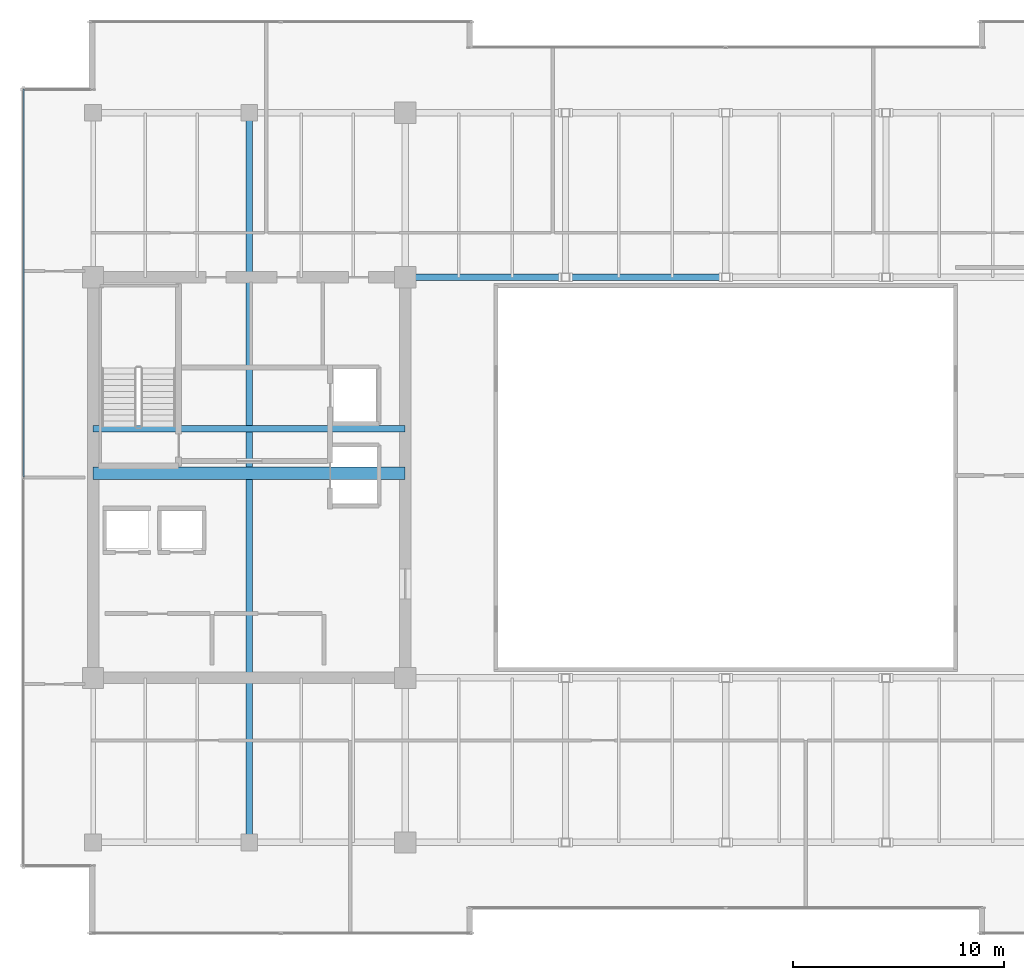
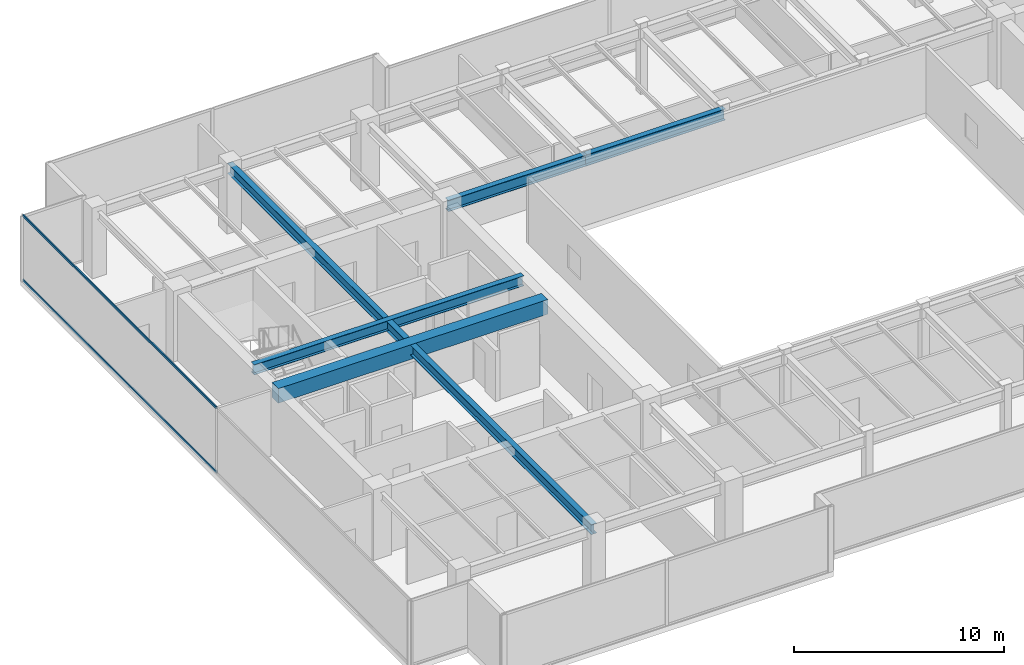
# One storey, part 10 of 33: 5 beams, 2 members, 1 element without a shape of its own.
"""IFC4 building model written with IfcOpenShell, lengths in metres."""

import ifcopenshell
import ifcopenshell.guid

model = None  # the IFC model being written
_history = None  # IfcOwnerHistory: only IFC2X3 demands one
_inside = {}  # id of a spatial element -> (the spatial element, [elements in it])
_under = {}  # id of a project, library or spatial element -> (it, [spatial elements below it])
_declared = {}  # id of a project -> (the project, [libraries it declares])
_typed = {}  # id of a type object -> (the type object, [elements of that type])
_made_of = {}  # id of a material, layer set ... -> (it, [elements and type objects made of it])


def new_model(schema):
    """Start an empty IFC model of exactly this schema.

    Asked for "IFC4X3", IfcOpenShell would pick the latest addendum, in which some entities
    have other attributes; the version numbers below select the first issue.
    IFC2X3 requires an IfcOwnerHistory on every rooted entity: one is made here for all.
    """
    global model, _history
    if schema == "IFC4X3":
        model = ifcopenshell.file(schema_version=(4, 3, 0, 0))
    else:
        model = ifcopenshell.file(schema=schema)
    _inside.clear()
    _under.clear()
    _declared.clear()
    _typed.clear()
    _made_of.clear()
    _history = None
    if model.schema == "IFC2X3":
        org = make("IfcOrganization", Name="unknown")
        user = make(
            "IfcPersonAndOrganization",
            ThePerson=make("IfcPerson", FamilyName="unknown"),
            TheOrganization=org,
        )
        app = make(
            "IfcApplication",
            ApplicationDeveloper=org,
            Version="unknown",
            ApplicationFullName="unknown",
            ApplicationIdentifier="unknown",
        )
        _history = make(
            "IfcOwnerHistory",
            OwningUser=user,
            OwningApplication=app,
            ChangeAction="ADDED",
            CreationDate=0,
        )
    return model


def make(cls, **values):
    """One entity of the class cls with the attributes given. An attribute that is None is left unset."""
    return model.create_entity(
        cls, **{name: value for name, value in values.items() if value is not None}
    )


def rooted(cls, **values):
    """An entity with a GlobalId (a new one), such as an element, a storey or a relation."""
    return make(cls, GlobalId=ifcopenshell.guid.new(), OwnerHistory=_history, **values)


def si_unit(unit_type, name, prefix=None):
    """IfcSIUnit, for example si_unit("LENGTHUNIT", "METRE", prefix="MILLI")."""
    return make("IfcSIUnit", UnitType=unit_type, Prefix=prefix, Name=name)


def assignment(units):
    """IfcUnitAssignment: the units of a project."""
    return None if units is None else make("IfcUnitAssignment", Units=units)


def point(xyz):
    """IfcCartesianPoint."""
    return None if xyz is None else make("IfcCartesianPoint", Coordinates=xyz)


def direction(xyz):
    """IfcDirection."""
    return None if xyz is None else make("IfcDirection", DirectionRatios=xyz)


def frame(location, z_axis=None, x_axis=None):
    """IfcAxis2Placement3D, a coordinate frame: its origin and axes. An axis left out is left unset."""
    return make(
        "IfcAxis2Placement3D",
        Location=point(location),
        Axis=direction(z_axis),
        RefDirection=direction(x_axis),
    )


def frame_2d(location, x_axis=None):
    """IfcAxis2Placement2D, a coordinate frame in the plane: its origin and x axis."""
    return make(
        "IfcAxis2Placement2D", Location=point(location), RefDirection=direction(x_axis)
    )


def origin():
    """The frame at (0, 0, 0) with its axes left unset."""
    return frame((0.0, 0.0, 0.0))


def origin_2d():
    """The frame at (0, 0) in the plane with its x axis left unset."""
    return frame_2d((0.0, 0.0))


def place(relative_to, where):
    """IfcLocalPlacement: puts the frame where relative to a parent placement (None: the world)."""
    return make(
        "IfcLocalPlacement", PlacementRelTo=relative_to, RelativePlacement=where
    )


def context(
    kind, dimensions, precision=None, world=None, true_north=None, identifier=None
):
    """IfcGeometricRepresentationContext, for example the 3D "Model" context."""
    return make(
        "IfcGeometricRepresentationContext",
        ContextIdentifier=identifier,
        ContextType=kind,
        CoordinateSpaceDimension=dimensions,
        Precision=precision,
        WorldCoordinateSystem=world,
        TrueNorth=true_north,
    )


def subcontext(parent, identifier, kind, view, scale=None):
    """IfcGeometricRepresentationSubContext, for example "Body" below "Model"."""
    return make(
        "IfcGeometricRepresentationSubContext",
        ContextIdentifier=identifier,
        ContextType=kind,
        ParentContext=parent,
        TargetScale=scale,
        TargetView=view,
    )


def project(units=None, contexts=None):
    """IfcProject with its units and contexts."""
    return rooted(
        "IfcProject",
        Name="project",
        RepresentationContexts=contexts,
        UnitsInContext=assignment(units),
    )


def spatial(cls, under=None, at=None, **own):
    """A site, building, storey or space (cls), placed at a placement, below another one or the project."""
    s = rooted(cls, ObjectPlacement=at, **own)
    if under is not None:
        _under.setdefault(under.id(), (under, []))[1].append(s)
    return s


def profile(cls, at=None, kind="AREA", **sizes):
    """A parametric profile (cls). Its sizes go by their IFC names, for example OverallWidth=200.0."""
    return make(cls, ProfileType=kind, Position=at, **sizes)


def rectangle(**sizes):
    """IfcRectangleProfileDef."""
    return profile("IfcRectangleProfileDef", **sizes)


def hollow_rectangle(**sizes):
    """IfcRectangleHollowProfileDef."""
    return profile("IfcRectangleHollowProfileDef", **sizes)


def i_section(**sizes):
    """IfcIShapeProfileDef."""
    return profile("IfcIShapeProfileDef", **sizes)


def extrude(swept, where, along, depth):
    """IfcExtrudedAreaSolid: the profile swept, set in the frame where, extruded along a direction by depth."""
    return make(
        "IfcExtrudedAreaSolid",
        SweptArea=swept,
        Position=where,
        ExtrudedDirection=direction(along),
        Depth=depth,
    )


def shape(context_of_items, identifier, shape_type, items):
    """IfcShapeRepresentation: the items that make up one representation, for example the "Body"."""
    return make(
        "IfcShapeRepresentation",
        ContextOfItems=context_of_items,
        RepresentationIdentifier=identifier,
        RepresentationType=shape_type,
        Items=items,
    )


def source(mapping_origin, context_of_items, identifier, shape_type, items):
    """IfcRepresentationMap: a shape defined once, which mapped items show again and again."""
    return make(
        "IfcRepresentationMap",
        MappingOrigin=mapping_origin,
        MappedRepresentation=shape(context_of_items, identifier, shape_type, items),
    )


def transform(
    local_origin,
    x_axis=None,
    y_axis=None,
    z_axis=None,
    scale=None,
    scale2=None,
    scale3=None,
    uniform=True,
):
    """IfcCartesianTransformationOperator3D, or its non-uniform kind. x_axis, y_axis, z_axis: its Axis1, 2, 3."""
    if uniform:
        return make(
            "IfcCartesianTransformationOperator3D",
            Axis1=direction(x_axis),
            Axis2=direction(y_axis),
            LocalOrigin=point(local_origin),
            Scale=scale,
            Axis3=direction(z_axis),
        )
    return make(
        "IfcCartesianTransformationOperator3DnonUniform",
        Axis1=direction(x_axis),
        Axis2=direction(y_axis),
        LocalOrigin=point(local_origin),
        Scale=scale,
        Axis3=direction(z_axis),
        Scale2=scale2,
        Scale3=scale3,
    )


def mapped(mapping_source, mapping_target):
    """IfcMappedItem: shows the shape of a source again, moved by a transform."""
    return make(
        "IfcMappedItem", MappingSource=mapping_source, MappingTarget=mapping_target
    )


def material(Name=None, Category=None):
    """IfcMaterial."""
    return make("IfcMaterial", Name=Name, Category=Category)


def layer(
    of_material, thickness, ventilated=None, Name=None, Category=None, Priority=None
):
    """IfcMaterialLayer: one layer of a wall or slab, of a material (None: an air gap)."""
    return make(
        "IfcMaterialLayer",
        Material=of_material,
        LayerThickness=thickness,
        IsVentilated=ventilated,
        Name=Name,
        Category=Category,
        Priority=Priority,
    )


def layer_set(layers, Name=None):
    """IfcMaterialLayerSet."""
    return make("IfcMaterialLayerSet", MaterialLayers=layers, LayerSetName=Name)


def material_profile(
    of_material, cross_section, Name=None, Category=None, Priority=None
):
    """IfcMaterialProfile: a cross section and its material."""
    return make(
        "IfcMaterialProfile",
        Name=Name,
        Material=of_material,
        Profile=cross_section,
        Priority=Priority,
        Category=Category,
    )


def profile_set(profiles, Name=None, composite=None):
    """IfcMaterialProfileSet."""
    return make(
        "IfcMaterialProfileSet",
        Name=Name,
        MaterialProfiles=profiles,
        CompositeProfile=composite,
    )


def made_of(thing, what):
    """Note that an element or type object is made of a material, layer set ...; save() writes the relation."""
    if what is not None:
        _made_of.setdefault(what.id(), (what, []))[1].append(thing)
    return thing


def type_object(cls, material=None, **own):
    """A type object (cls), such as IfcWallType, which elements share."""
    return made_of(rooted(cls, **own), material)


def type_shapes(of_type, sources):
    """Give a type object the sources (RepresentationMaps) that its elements show as mapped items."""
    of_type.RepresentationMaps = sources


def element(
    cls,
    number,
    at=None,
    inside=None,
    cuts=None,
    type_object=None,
    material=None,
    context=None,
    identifier="Body",
    shape_type=None,
    held_by="IfcProductDefinitionShape",
    body=None,
    shapes=None,
    **own,
):
    """One element of the class cls, such as IfcWall. Its Tag is "e" and its number.

    at: its placement. inside: the storey or other place that contains it. cuts: it is an
    opening in that element (IfcRelVoidsElement). A single representation is given by context,
    identifier, shape_type and body (its items); several are given by shapes. held_by: the class
    of the entity that holds the representations. save() writes the other relations.
    """
    e = rooted(cls, Tag="e%d" % number, ObjectPlacement=at, **own)
    if body is not None:
        shapes = [shape(context, identifier, shape_type, body)]
    if shapes is not None:
        e.Representation = make(held_by, Representations=shapes)
    if inside is not None:
        _inside.setdefault(inside.id(), (inside, []))[1].append(e)
    if cuts is not None:
        rooted(
            "IfcRelVoidsElement", RelatingBuildingElement=cuts, RelatedOpeningElement=e
        )
    if type_object is not None:
        _typed.setdefault(type_object.id(), (type_object, []))[1].append(e)
    return made_of(e, material)


def aggregate(whole, parts):
    """IfcRelAggregates: a whole, such as a stair, and the parts it consists of."""
    return rooted("IfcRelAggregates", RelatingObject=whole, RelatedObjects=parts)


def save(model, path):
    """Write the relations noted so far, then the file.

    IfcRelAggregates (storeys below a building ...), IfcRelContainedInSpatialStructure (elements
    in a storey), IfcRelDefinesByType, IfcRelAssociatesMaterial and IfcRelDeclares: one each for
    every whole, place, type object, material and project.
    """
    for whole, parts in _under.values():
        aggregate(whole, parts)
    for where, things in _inside.values():
        rooted(
            "IfcRelContainedInSpatialStructure",
            RelatedElements=things,
            RelatingStructure=where,
        )
    for kind, things in _typed.values():
        rooted("IfcRelDefinesByType", RelatedObjects=things, RelatingType=kind)
    for what, things in _made_of.values():
        rooted("IfcRelAssociatesMaterial", RelatedObjects=things, RelatingMaterial=what)
    for by, libraries in _declared.values():
        rooted("IfcRelDeclares", RelatingContext=by, RelatedDefinitions=libraries)
    model.write(path)


model = new_model("IFC4")

# Units and contexts
model_context = context("Model", 3, precision=1e-05, world=origin(), true_north=direction((0.0, 1.0)))
body_context = subcontext(model_context, "Body", "Model", "MODEL_VIEW")
ifc_project = project(units=[si_unit("LENGTHUNIT", "METRE"), si_unit("AREAUNIT", "SQUARE_METRE"), si_unit("VOLUMEUNIT", "CUBIC_METRE"), si_unit("PLANEANGLEUNIT", "RADIAN"), si_unit("MASSUNIT", "GRAM", prefix="KILO")], contexts=[model_context])

# Site, building, storey
site_placement = place(None, origin())
site = spatial("IfcSite", under=ifc_project, at=site_placement, CompositionType="ELEMENT")
building_placement = place(site_placement, origin())
building = spatial("IfcBuilding", under=site, at=building_placement, Name="Haelvirn Gate Laboratories", CompositionType="ELEMENT")
storey_placement = place(building_placement, frame((0.0, 0.0, 287.5)))
storey = spatial("IfcBuildingStorey", under=building, at=storey_placement, Name="L69", CompositionType="ELEMENT", Elevation=287.5)

# Beams
ifc_material_1 = material(Name="Steel SM355", Category="steel")
ifc_material_profile_1 = material_profile(ifc_material_1, i_section(OverallWidth=0.300048828125, OverallDepth=0.587890625, WebThickness=0.011962890625, FlangeThickness=0.02001953125, at=origin_2d()), Name="H-588x300x12x20")
ifc_profile_set_1 = profile_set([ifc_material_profile_1], Name="Steel SM355")
beam_type_1 = type_object("IfcBeamType", Name="BM-G-588", PredefinedType="BEAM", material=ifc_profile_set_1)
shared_shape_1 = source(origin(), body_context, "Body", "SweptSolid", [
    extrude(i_section(OverallWidth=0.300048828125, OverallDepth=0.587890625, WebThickness=0.011962890625, FlangeThickness=0.02001953125, at=origin_2d()), origin(), (0.0, 0.0, 1.0), 14.800048828125),
])
beam_1_placement = place(storey_placement, frame((7.39990234375, 26.6201171875, 3.506103515625), z_axis=(1.0, 0.0, 0.0), x_axis=(0.0, 1.0, 0.0)))
element("IfcBeam", 1, at=beam_1_placement, inside=storey, type_object=beam_type_1, Name="L69 Stair ST1 Landing Header", PredefinedType="BEAM", context=body_context, shape_type="MappedRepresentation", body=[
    mapped(shared_shape_1, transform((0.0, 0.0, 0.0), scale=1.0)),
])
shared_shape_2 = source(origin(), body_context, "Body", "SweptSolid", [
    extrude(i_section(OverallWidth=0.300048828125, OverallDepth=0.587890625, WebThickness=0.011962890625, FlangeThickness=0.02001953125, at=origin_2d()), origin(), (0.0, 0.0, 1.0), 34.60009765625),
])
type_shapes(beam_type_1, [shared_shape_1, shared_shape_2])
beam_2_placement = place(storey_placement, frame((14.800048828125, 7.0, 3.506103515625), z_axis=(0.0, 1.0, 0.0), x_axis=(-1.0, 0.0, 0.0)))
element("IfcBeam", 2, at=beam_2_placement, inside=storey, type_object=beam_type_1, Name="L69 Frame Girder X14.8 (7.0-41.6)", PredefinedType="BEAM", context=body_context, shape_type="MappedRepresentation", body=[
    mapped(shared_shape_2, transform((0.0, 0.0, 0.0), scale=1.0)),
])
ifc_material_2 = material(Name="Concrete C50/60", Category="concrete")
ifc_material_profile_2 = material_profile(ifc_material_2, rectangle(XDim=0.60009765625, YDim=0.85009765625, at=origin_2d()), Name="RCB-600x850")
ifc_profile_set_2 = profile_set([ifc_material_profile_2], Name="Concrete C50/60")
beam_type_2 = type_object("IfcBeamType", Name="BM-RCB-850", PredefinedType="LINTEL", material=ifc_profile_set_2)
shared_shape_3 = source(origin(), body_context, "Body", "SweptSolid", [
    extrude(rectangle(XDim=0.60009765625, YDim=0.85009765625, at=origin_2d()), origin(), (0.0, 0.0, 1.0), 14.800048828125),
])
type_shapes(beam_type_2, [shared_shape_3])
beam_3_placement = place(storey_placement, frame((7.39990234375, 24.5, 3.375), z_axis=(1.0, 0.0, 0.0), x_axis=(0.0, 1.0, 0.0)))
element("IfcBeam", 3, at=beam_3_placement, inside=storey, type_object=beam_type_2, Name="L69 West Core Coupling Beam", PredefinedType="LINTEL", context=body_context, shape_type="MappedRepresentation", body=[
    mapped(shared_shape_3, transform((0.0, 0.0, 0.0), scale=1.0)),
])
ifc_material_profile_3 = material_profile(ifc_material_1, i_section(OverallWidth=0.300048828125, OverallDepth=0.64990234375, WebThickness=0.012939453125, FlangeThickness=0.02197265625, at=origin_2d()), Name="H-650x300x13x22")
ifc_profile_set_3 = profile_set([ifc_material_profile_3], Name="Steel SM355")
beam_type_3 = type_object("IfcBeamType", Name="BM-G-650", PredefinedType="BEAM", material=ifc_profile_set_3)
shared_shape_4 = source(origin(), body_context, "Body", "SweptSolid", [
    extrude(i_section(OverallWidth=0.300048828125, OverallDepth=0.64990234375, WebThickness=0.012939453125, FlangeThickness=0.02197265625, at=origin_2d()), origin(), (0.0, 0.0, 1.0), 7.60009765625),
])
beam_4_placement = place(storey_placement, frame((22.199951171875, 33.800048828125, 3.47509765625), z_axis=(1.0, 0.0, 0.0), x_axis=(0.0, 1.0, 0.0)))
element("IfcBeam", 4, at=beam_4_placement, inside=storey, type_object=beam_type_3, Name="L69 Primary Girder Y33.8 (22.2-29.8)", PredefinedType="BEAM", context=body_context, shape_type="MappedRepresentation", body=[
    mapped(shared_shape_4, transform((0.0, 0.0, 0.0), scale=1.0)),
])
shared_shape_5 = source(origin(), body_context, "Body", "SweptSolid", [
    extrude(i_section(OverallWidth=0.300048828125, OverallDepth=0.64990234375, WebThickness=0.012939453125, FlangeThickness=0.02197265625, at=origin_2d()), origin(), (0.0, 0.0, 1.0), 7.599853515625),
])
type_shapes(beam_type_3, [shared_shape_4, shared_shape_5])
beam_5_placement = place(storey_placement, frame((29.800048828125, 33.800048828125, 3.47509765625), z_axis=(1.0, 0.0, 0.0), x_axis=(0.0, 1.0, 0.0)))
element("IfcBeam", 5, at=beam_5_placement, inside=storey, type_object=beam_type_3, Name="L69 Primary Girder Y33.8 (29.8-37.4)", PredefinedType="BEAM", context=body_context, shape_type="MappedRepresentation", body=[
    mapped(shared_shape_5, transform((0.0, 0.0, 0.0), scale=1.0)),
])

# Curtain wall, members
ifc_material_3 = material(Name="Anodised bronze unitised aluminium & triple low-E glass", Category="aluminium")
ifc_layer = layer(ifc_material_3, 0.176025390625, Name="CW-SYS-4")
ifc_layer_set = layer_set([ifc_layer], Name="Anodised bronze unitised aluminium & triple low-E glass")
curtain_wall_type = type_object("IfcCurtainWallType", Name="CW-SYS-4", PredefinedType="NOTDEFINED", material=ifc_layer_set)
curtain_wall_placement = place(storey_placement, origin())
curtain_wall = element("IfcCurtainWall", 6, at=curtain_wall_placement, inside=storey, type_object=curtain_wall_type, Name="L69 Unitised Curtain Wall CW-L69-P0-E17", PredefinedType="NOTDEFINED")
ifc_material_4 = material(Name="Extruded aluminium 6063-T6 (anodised bronze)", Category="aluminium")
ifc_material_profile_4 = material_profile(ifc_material_4, hollow_rectangle(XDim=0.06494140625, YDim=0.139892578125, WallThickness=0.00390625, at=origin_2d()), Name="CWT-140x65x4")
ifc_profile_set_4 = profile_set([ifc_material_profile_4], Name="Extruded aluminium 6063-T6 (anodised bronze)")
member_type = type_object("IfcMemberType", Name="CWT-T140", PredefinedType="USERDEFINED", material=ifc_profile_set_4)
shared_shape_6 = source(origin(), body_context, "Body", "SweptSolid", [
    extrude(hollow_rectangle(XDim=0.06494140625, YDim=0.139892578125, WallThickness=0.00390625, at=origin_2d()), origin(), (0.0, 0.0, 1.0), 18.39501953125),
])
type_shapes(member_type, [shared_shape_6])
member_1_placement = place(storey_placement, frame((4.10009765625, 42.72998046875, 0.032470703125), z_axis=(0.0, -1.0, 0.0), x_axis=(1.0, 0.0, 0.0)))
member_1 = element("IfcMember", 7, at=member_1_placement, type_object=member_type, Name="CW4 transom 1.1", ObjectType="TRANSOM", PredefinedType="USERDEFINED", context=body_context, shape_type="MappedRepresentation", body=[
    mapped(shared_shape_6, transform((0.0, 0.0, 0.0), scale=1.0)),
])
member_2_placement = place(storey_placement, frame((4.10009765625, 42.72998046875, 3.767578125), z_axis=(0.0, -1.0, 0.0), x_axis=(1.0, 0.0, 0.0)))
member_2 = element("IfcMember", 8, at=member_2_placement, type_object=member_type, Name="CW4 transom 1.2", ObjectType="TRANSOM", PredefinedType="USERDEFINED", context=body_context, shape_type="MappedRepresentation", body=[
    mapped(shared_shape_6, transform((0.0, 0.0, 0.0), scale=1.0)),
])
aggregate(curtain_wall, [member_1, member_2])

save(model, "model.ifc")
